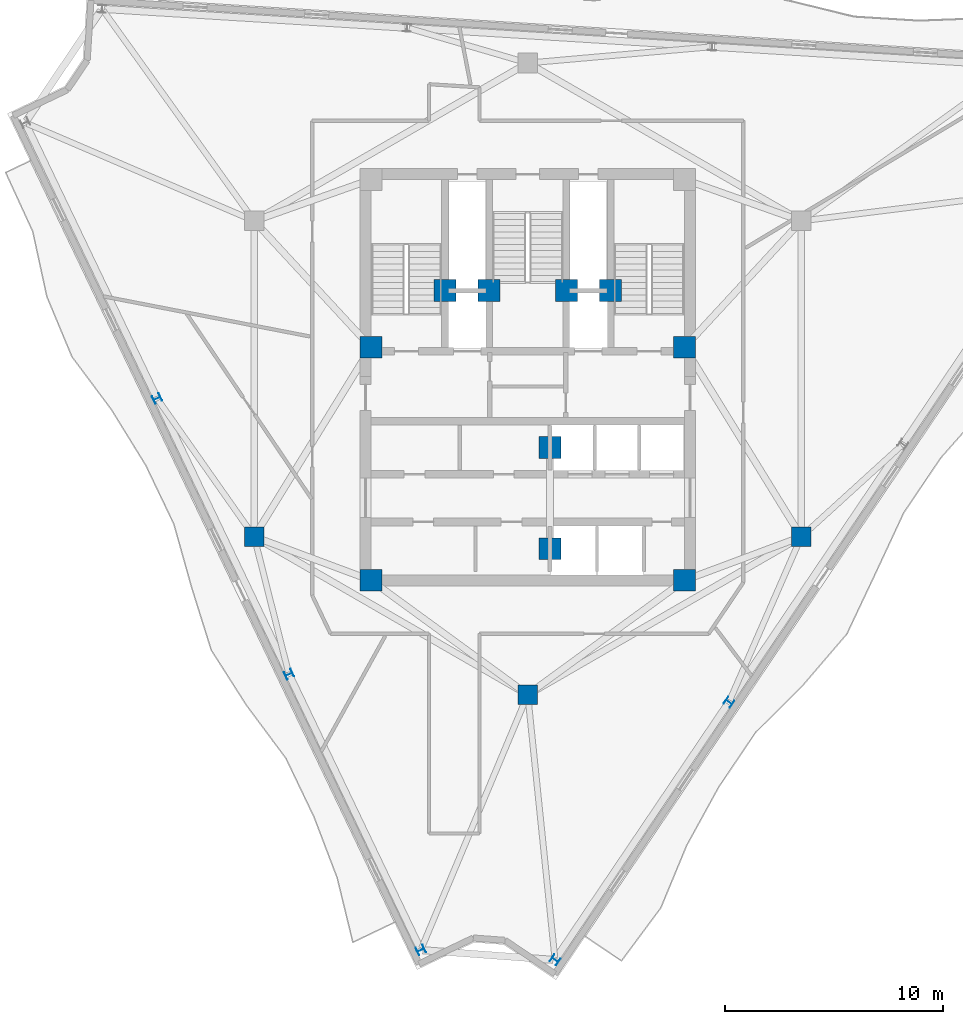
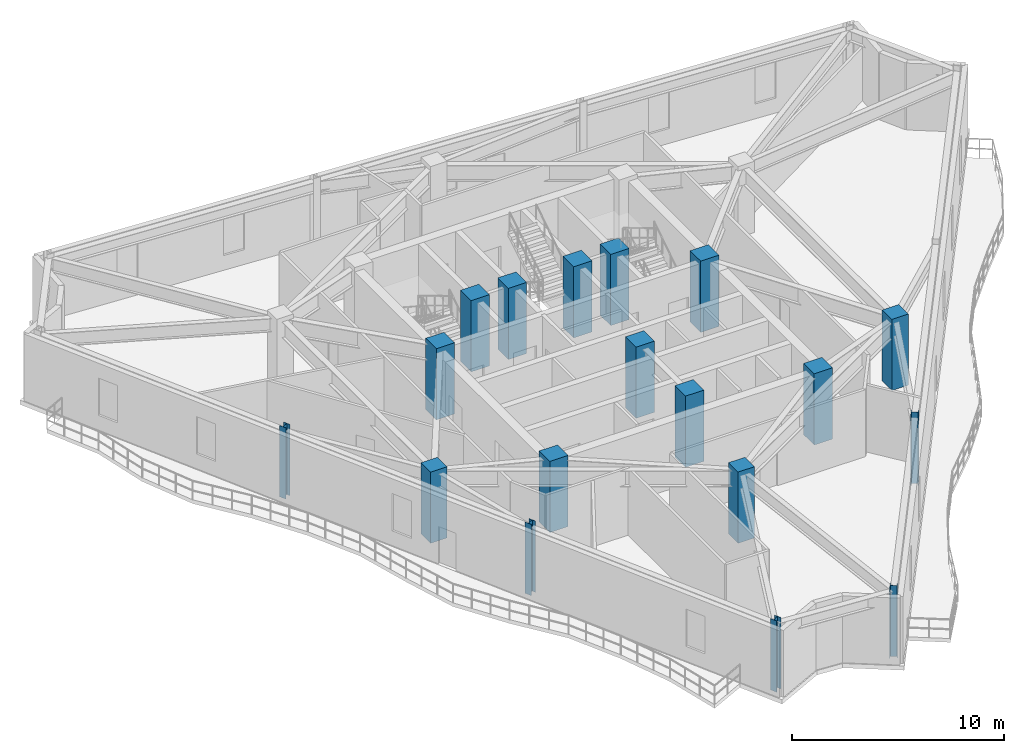
# One storey, part 1 of 10: 18 columns.
"""IFC4 building model written with IfcOpenShell, lengths in metres."""

from ifc_helpers import new_model, si_unit, direction, frame, origin, origin_2d, place, context, subcontext, project, spatial, rectangle, i_section, extrude, material, material_profile, profile_set, type_object, element, save


model = new_model("IFC4")

# Units and contexts
model_context = context("Model", 3, precision=1e-05, world=origin(), true_north=direction((0.0, 1.0)))
body_context = subcontext(model_context, "Body", "Model", "MODEL_VIEW")
ifc_project = project(units=[si_unit("LENGTHUNIT", "METRE"), si_unit("AREAUNIT", "SQUARE_METRE"), si_unit("VOLUMEUNIT", "CUBIC_METRE"), si_unit("PLANEANGLEUNIT", "RADIAN"), si_unit("MASSUNIT", "GRAM", prefix="KILO")], contexts=[model_context])

# Site, building, storey
site_placement = place(None, origin())
site = spatial("IfcSite", under=ifc_project, at=site_placement, CompositionType="ELEMENT")
building_placement = place(site_placement, origin())
building = spatial("IfcBuilding", under=site, at=building_placement, Name="Apsidion Concourse Tower", CompositionType="ELEMENT")
storey_placement = place(building_placement, frame((0.0, 0.0, 298.300048828125)))
storey = spatial("IfcBuildingStorey", under=building, at=storey_placement, Name="L70", CompositionType="ELEMENT", Elevation=298.300048828125)

# Columns
ifc_material_1 = material(Name="Concrete C50/60", Category="concrete")
ifc_material_profile_1 = material_profile(ifc_material_1, rectangle(XDim=1.0, YDim=1.0, at=origin_2d()), Name="RC 1000x1000")
ifc_profile_set_1 = profile_set([ifc_material_profile_1], Name="Concrete C50/60")
column_type_1 = type_object("IfcColumnType", Name="COL-RC-1000", PredefinedType="COLUMN", material=ifc_profile_set_1)
for number, where, z_axis, x_axis, name in (
    (1, (-7.199951171875, -9.25, 0.0), (0.0, 0.0, 1.0), (1.0, 0.0, 0.0), "L70 Core Super-Column SC1"),
    (2, (7.199951171875, -9.25, 0.0), (0.0, 0.0, 1.0), (1.0, 0.0, 0.0), "L70 Core Super-Column SC2"),
    (3, (7.199951171875, 1.449951171875, 0.0), (0.0, 0.0, 1.0), (1.0, 0.0, 0.0), "L70 Core Super-Column SC3"),
    (4, (-7.199951171875, 1.449951171875, 0.0), (0.0, 0.0, 1.0), (1.0, 0.0, 0.0), "L70 Core Super-Column SC6"),
    (5, (-3.800048828125, 4.050048828125, 0.0), (0.0, 0.0, 1.0), (1.0, 0.0, 0.0), "L70 Core Super-Column CC1"),
    (6, (3.800048828125, 4.050048828125, 0.0), (0.0, 0.0, 1.0), (1.0, 0.0, 0.0), "L70 Core Super-Column CC2"),
    (7, (-1.77490234375, 4.050048828125, 0.0), (0.0, 0.0, 1.0), (1.0, 0.0, 0.0), "L70 Core Super-Column CC3"),
    (8, (1.77490234375, 4.050048828125, 0.0), (0.0, 0.0, 1.0), (1.0, 0.0, 0.0), "L70 Core Super-Column CC4"),
    (9, (1.02490234375, -3.14990234375, 0.0), (0.0, 0.0, 1.0), (1.0, 0.0, 0.0), "L70 Core Super-Column CC5"),
    (10, (1.02490234375, -7.800048828125, 0.0), (0.0, 0.0, 1.0), (1.0, 0.0, 0.0), "L70 Core Super-Column CC6"),
):
    element("IfcColumn", number, at=place(storey_placement, frame(where, z_axis=z_axis, x_axis=x_axis)), inside=storey, type_object=column_type_1, Name=name, PredefinedType="COLUMN", context=body_context, shape_type="SweptSolid", body=[
        extrude(rectangle(XDim=1.0, YDim=1.0, at=origin_2d()), origin(), (0.0, 0.0, 1.0), 4.099853515625),
    ])
ifc_material_profile_2 = material_profile(ifc_material_1, rectangle(XDim=0.89990234375, YDim=0.89990234375, at=origin_2d()), Name="RC 900x900")
ifc_profile_set_2 = profile_set([ifc_material_profile_2], Name="Concrete C50/60")
column_type_2 = type_object("IfcColumnType", Name="COL-RC-900", PredefinedType="COLUMN", material=ifc_profile_set_2)
for number, where, z_axis, x_axis, name in (
    (11, (-12.56005859375, -7.25, 0.0), (0.0, 0.0, 1.0), (1.0, 0.0, 0.0), "L70 Interior Spine Column IC1"),
    (12, (12.56005859375, -7.25, 0.0), (0.0, 0.0, 1.0), (1.0, 0.0, 0.0), "L70 Interior Spine Column IC2"),
    (13, (0.0, -14.5, 0.0), (0.0, 0.0, 1.0), (1.0, 0.0, 0.0), "L70 Interior Spine Column IC6"),
):
    element("IfcColumn", number, at=place(storey_placement, frame(where, z_axis=z_axis, x_axis=x_axis)), inside=storey, type_object=column_type_2, Name=name, PredefinedType="COLUMN", context=body_context, shape_type="SweptSolid", body=[
        extrude(rectangle(XDim=0.89990234375, YDim=0.89990234375, at=origin_2d()), origin(), (0.0, 0.0, 1.0), 4.099853515625),
    ])
ifc_material_2 = material(Name="Structural steel ASTM A992 Grade 50", Category="steel")
ifc_material_profile_3 = material_profile(ifc_material_2, i_section(OverallWidth=0.367919921875, OverallDepth=0.35595703125, WebThickness=0.01123046875, FlangeThickness=0.01806640625, at=origin_2d()), Name="W14X90")
ifc_profile_set_3 = profile_set([ifc_material_profile_3], Name="Structural steel ASTM A992 Grade 50")
column_type_3 = type_object("IfcColumnType", Name="COL-W14-90", PredefinedType="COLUMN", material=ifc_profile_set_3)
for number, where, z_axis, x_axis, name in (
    (14, (-17.019287109375, -0.9033203125, 0.0), (0.0, 0.0, 1.0), (-0.431298587031, 0.902209248913, 0.0), "L70 Rotated Perimeter Column PC02"),
    (15, (-10.965576171875, -13.56494140625, 0.0), (0.0, 0.0, 1.0), (-0.431298587031, 0.902209248913, 0.0), "L70 Rotated Perimeter Column PC03"),
    (16, (-4.91162109375, -26.226806640625, 0.0), (0.0, 0.0, 1.0), (-0.431298587031, 0.902209248913, 0.0), "L70 Rotated Perimeter Column PC04"),
    (17, (1.25390625, -26.681884765625, 0.0), (0.0, 0.0, 1.0), (0.559192903471, 0.829037572555, 0.0), "L70 Rotated Perimeter Column PC05"),
    (18, (9.239013671875, -14.84375, 0.0), (0.0, 0.0, 1.0), (0.559192903471, 0.829037572555, 0.0), "L70 Rotated Perimeter Column PC06"),
):
    element("IfcColumn", number, at=place(storey_placement, frame(where, z_axis=z_axis, x_axis=x_axis)), inside=storey, type_object=column_type_3, Name=name, PredefinedType="COLUMN", context=body_context, shape_type="SweptSolid", body=[
        extrude(i_section(OverallWidth=0.367919921875, OverallDepth=0.35595703125, WebThickness=0.01123046875, FlangeThickness=0.01806640625, at=origin_2d()), origin(), (0.0, 0.0, 1.0), 4.099853515625),
    ])

save(model, "model.ifc")
